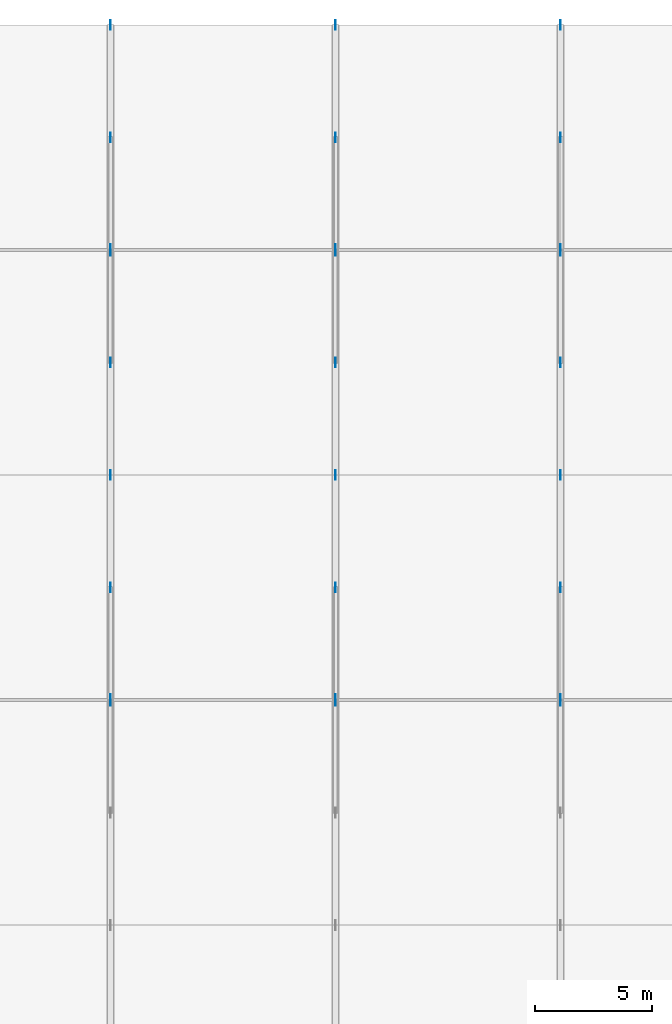
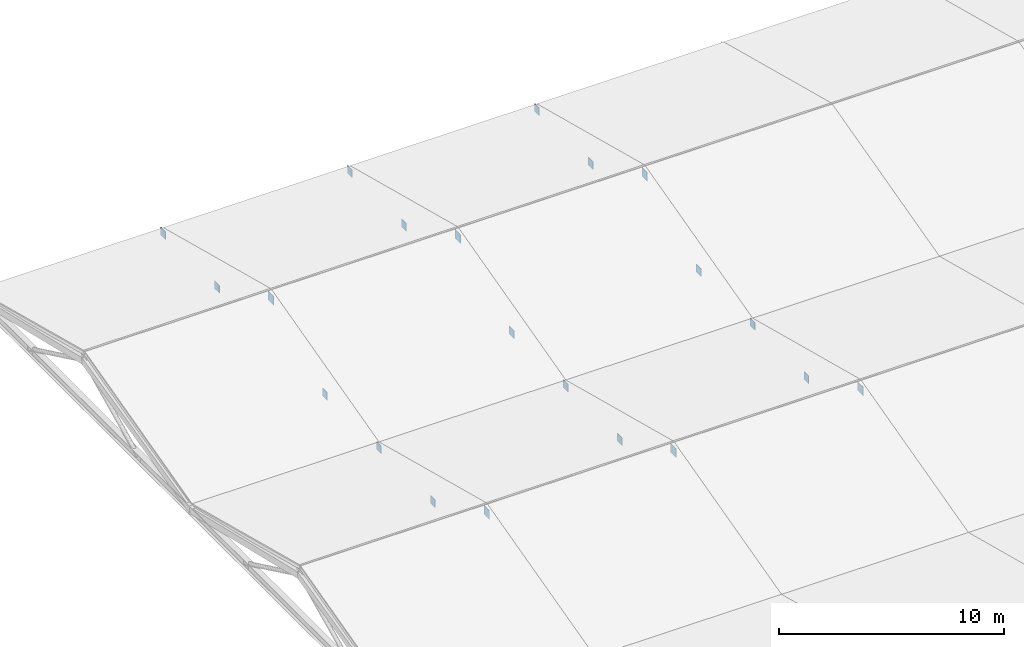
# One storey, part 28 of 52: 21 plates.
"""IFC4 building model written with IfcOpenShell, lengths in metres."""

import ifcopenshell
import ifcopenshell.guid

model = None  # the IFC model being written
_history = None  # IfcOwnerHistory: only IFC2X3 demands one
_inside = {}  # id of a spatial element -> (the spatial element, [elements in it])
_under = {}  # id of a project, library or spatial element -> (it, [spatial elements below it])
_declared = {}  # id of a project -> (the project, [libraries it declares])
_typed = {}  # id of a type object -> (the type object, [elements of that type])
_made_of = {}  # id of a material, layer set ... -> (it, [elements and type objects made of it])


def new_model(schema):
    """Start an empty IFC model of exactly this schema.

    Asked for "IFC4X3", IfcOpenShell would pick the latest addendum, in which some entities
    have other attributes; the version numbers below select the first issue.
    IFC2X3 requires an IfcOwnerHistory on every rooted entity: one is made here for all.
    """
    global model, _history
    if schema == "IFC4X3":
        model = ifcopenshell.file(schema_version=(4, 3, 0, 0))
    else:
        model = ifcopenshell.file(schema=schema)
    _inside.clear()
    _under.clear()
    _declared.clear()
    _typed.clear()
    _made_of.clear()
    _history = None
    if model.schema == "IFC2X3":
        org = make("IfcOrganization", Name="unknown")
        user = make(
            "IfcPersonAndOrganization",
            ThePerson=make("IfcPerson", FamilyName="unknown"),
            TheOrganization=org,
        )
        app = make(
            "IfcApplication",
            ApplicationDeveloper=org,
            Version="unknown",
            ApplicationFullName="unknown",
            ApplicationIdentifier="unknown",
        )
        _history = make(
            "IfcOwnerHistory",
            OwningUser=user,
            OwningApplication=app,
            ChangeAction="ADDED",
            CreationDate=0,
        )
    return model


def make(cls, **values):
    """One entity of the class cls with the attributes given. An attribute that is None is left unset."""
    return model.create_entity(
        cls, **{name: value for name, value in values.items() if value is not None}
    )


def rooted(cls, **values):
    """An entity with a GlobalId (a new one), such as an element, a storey or a relation."""
    return make(cls, GlobalId=ifcopenshell.guid.new(), OwnerHistory=_history, **values)


def si_unit(unit_type, name, prefix=None):
    """IfcSIUnit, for example si_unit("LENGTHUNIT", "METRE", prefix="MILLI")."""
    return make("IfcSIUnit", UnitType=unit_type, Prefix=prefix, Name=name)


def assignment(units):
    """IfcUnitAssignment: the units of a project."""
    return None if units is None else make("IfcUnitAssignment", Units=units)


def point(xyz):
    """IfcCartesianPoint."""
    return None if xyz is None else make("IfcCartesianPoint", Coordinates=xyz)


def direction(xyz):
    """IfcDirection."""
    return None if xyz is None else make("IfcDirection", DirectionRatios=xyz)


def frame(location, z_axis=None, x_axis=None):
    """IfcAxis2Placement3D, a coordinate frame: its origin and axes. An axis left out is left unset."""
    return make(
        "IfcAxis2Placement3D",
        Location=point(location),
        Axis=direction(z_axis),
        RefDirection=direction(x_axis),
    )


def frame_2d(location, x_axis=None):
    """IfcAxis2Placement2D, a coordinate frame in the plane: its origin and x axis."""
    return make(
        "IfcAxis2Placement2D", Location=point(location), RefDirection=direction(x_axis)
    )


def origin():
    """The frame at (0, 0, 0) with its axes left unset."""
    return frame((0.0, 0.0, 0.0))


def origin_2d():
    """The frame at (0, 0) in the plane with its x axis left unset."""
    return frame_2d((0.0, 0.0))


def place(relative_to, where):
    """IfcLocalPlacement: puts the frame where relative to a parent placement (None: the world)."""
    return make(
        "IfcLocalPlacement", PlacementRelTo=relative_to, RelativePlacement=where
    )


def context(
    kind, dimensions, precision=None, world=None, true_north=None, identifier=None
):
    """IfcGeometricRepresentationContext, for example the 3D "Model" context."""
    return make(
        "IfcGeometricRepresentationContext",
        ContextIdentifier=identifier,
        ContextType=kind,
        CoordinateSpaceDimension=dimensions,
        Precision=precision,
        WorldCoordinateSystem=world,
        TrueNorth=true_north,
    )


def subcontext(parent, identifier, kind, view, scale=None):
    """IfcGeometricRepresentationSubContext, for example "Body" below "Model"."""
    return make(
        "IfcGeometricRepresentationSubContext",
        ContextIdentifier=identifier,
        ContextType=kind,
        ParentContext=parent,
        TargetScale=scale,
        TargetView=view,
    )


def project(units=None, contexts=None):
    """IfcProject with its units and contexts."""
    return rooted(
        "IfcProject",
        Name="project",
        RepresentationContexts=contexts,
        UnitsInContext=assignment(units),
    )


def spatial(cls, under=None, at=None, **own):
    """A site, building, storey or space (cls), placed at a placement, below another one or the project."""
    s = rooted(cls, ObjectPlacement=at, **own)
    if under is not None:
        _under.setdefault(under.id(), (under, []))[1].append(s)
    return s


def profile(cls, at=None, kind="AREA", **sizes):
    """A parametric profile (cls). Its sizes go by their IFC names, for example OverallWidth=200.0."""
    return make(cls, ProfileType=kind, Position=at, **sizes)


def rectangle(**sizes):
    """IfcRectangleProfileDef."""
    return profile("IfcRectangleProfileDef", **sizes)


def extrude(swept, where, along, depth):
    """IfcExtrudedAreaSolid: the profile swept, set in the frame where, extruded along a direction by depth."""
    return make(
        "IfcExtrudedAreaSolid",
        SweptArea=swept,
        Position=where,
        ExtrudedDirection=direction(along),
        Depth=depth,
    )


def shape(context_of_items, identifier, shape_type, items):
    """IfcShapeRepresentation: the items that make up one representation, for example the "Body"."""
    return make(
        "IfcShapeRepresentation",
        ContextOfItems=context_of_items,
        RepresentationIdentifier=identifier,
        RepresentationType=shape_type,
        Items=items,
    )


def material(Name=None, Category=None):
    """IfcMaterial."""
    return make("IfcMaterial", Name=Name, Category=Category)


def layer(
    of_material, thickness, ventilated=None, Name=None, Category=None, Priority=None
):
    """IfcMaterialLayer: one layer of a wall or slab, of a material (None: an air gap)."""
    return make(
        "IfcMaterialLayer",
        Material=of_material,
        LayerThickness=thickness,
        IsVentilated=ventilated,
        Name=Name,
        Category=Category,
        Priority=Priority,
    )


def layer_set(layers, Name=None):
    """IfcMaterialLayerSet."""
    return make("IfcMaterialLayerSet", MaterialLayers=layers, LayerSetName=Name)


def made_of(thing, what):
    """Note that an element or type object is made of a material, layer set ...; save() writes the relation."""
    if what is not None:
        _made_of.setdefault(what.id(), (what, []))[1].append(thing)
    return thing


def type_object(cls, material=None, **own):
    """A type object (cls), such as IfcWallType, which elements share."""
    return made_of(rooted(cls, **own), material)


def element(
    cls,
    number,
    at=None,
    inside=None,
    cuts=None,
    type_object=None,
    material=None,
    context=None,
    identifier="Body",
    shape_type=None,
    held_by="IfcProductDefinitionShape",
    body=None,
    shapes=None,
    **own,
):
    """One element of the class cls, such as IfcWall. Its Tag is "e" and its number.

    at: its placement. inside: the storey or other place that contains it. cuts: it is an
    opening in that element (IfcRelVoidsElement). A single representation is given by context,
    identifier, shape_type and body (its items); several are given by shapes. held_by: the class
    of the entity that holds the representations. save() writes the other relations.
    """
    e = rooted(cls, Tag="e%d" % number, ObjectPlacement=at, **own)
    if body is not None:
        shapes = [shape(context, identifier, shape_type, body)]
    if shapes is not None:
        e.Representation = make(held_by, Representations=shapes)
    if inside is not None:
        _inside.setdefault(inside.id(), (inside, []))[1].append(e)
    if cuts is not None:
        rooted(
            "IfcRelVoidsElement", RelatingBuildingElement=cuts, RelatedOpeningElement=e
        )
    if type_object is not None:
        _typed.setdefault(type_object.id(), (type_object, []))[1].append(e)
    return made_of(e, material)


def aggregate(whole, parts):
    """IfcRelAggregates: a whole, such as a stair, and the parts it consists of."""
    return rooted("IfcRelAggregates", RelatingObject=whole, RelatedObjects=parts)


def save(model, path):
    """Write the relations noted so far, then the file.

    IfcRelAggregates (storeys below a building ...), IfcRelContainedInSpatialStructure (elements
    in a storey), IfcRelDefinesByType, IfcRelAssociatesMaterial and IfcRelDeclares: one each for
    every whole, place, type object, material and project.
    """
    for whole, parts in _under.values():
        aggregate(whole, parts)
    for where, things in _inside.values():
        rooted(
            "IfcRelContainedInSpatialStructure",
            RelatedElements=things,
            RelatingStructure=where,
        )
    for kind, things in _typed.values():
        rooted("IfcRelDefinesByType", RelatedObjects=things, RelatingType=kind)
    for what, things in _made_of.values():
        rooted("IfcRelAssociatesMaterial", RelatedObjects=things, RelatingMaterial=what)
    for by, libraries in _declared.values():
        rooted("IfcRelDeclares", RelatingContext=by, RelatedDefinitions=libraries)
    model.write(path)


model = new_model("IFC4")

# Units and contexts
model_context = context("Model", 3, precision=1e-05, world=origin(), true_north=direction((0.0, 1.0)))
body_context = subcontext(model_context, "Body", "Model", "MODEL_VIEW")
ifc_project = project(units=[si_unit("LENGTHUNIT", "METRE"), si_unit("AREAUNIT", "SQUARE_METRE"), si_unit("VOLUMEUNIT", "CUBIC_METRE"), si_unit("PLANEANGLEUNIT", "RADIAN"), si_unit("MASSUNIT", "GRAM", prefix="KILO")], contexts=[model_context])

# Site, building, storey
site_placement = place(None, origin())
site = spatial("IfcSite", under=ifc_project, at=site_placement, CompositionType="ELEMENT")
building_placement = place(site_placement, origin())
building = spatial("IfcBuilding", under=site, at=building_placement, Name="Zarnetskaya Central Station", CompositionType="ELEMENT")
storey_placement = place(building_placement, frame((0.0, 0.0, 14.39990234375)))
storey = spatial("IfcBuildingStorey", under=building, at=storey_placement, Name="L03", CompositionType="ELEMENT", Elevation=14.39990234375)

# Plates
ifc_material = material(Name="Steel S355", Category="steel")
ifc_layer_1 = layer(ifc_material, 0.02392578125, Name="Steel S355", Category="steel")
ifc_layer_set_1 = layer_set([ifc_layer_1], Name="Steel S355")
plate_type_1 = type_object("IfcPlateType", Name="ND-GUSSET-24", PredefinedType="USERDEFINED", material=ifc_layer_set_1)
for number, where, z_axis, x_axis, name in (
    (1, (67.199951171875, 96.0, 1.81005859375), (0.0, 0.0, 1.0), (1.0, 0.0, 0.0), "ROOF TRUSS SHED-SV2-02 apex gusset"),
    (2, (76.800048828125, 96.0, 1.81005859375), (0.0, 0.0, 1.0), (1.0, 0.0, 0.0), "ROOF TRUSS SHED-SV2-03 apex gusset"),
    (3, (86.39990234375, 96.0, 1.81005859375), (0.0, 0.0, 1.0), (1.0, 0.0, 0.0), "ROOF TRUSS SHED-SV2-04 apex gusset"),
    (4, (67.199951171875, 115.199951171875, 1.81005859375), (0.0, 0.0, 1.0), (1.0, 0.0, 0.0), "ROOF TRUSS SHED-SV3-02 apex gusset"),
    (5, (76.800048828125, 115.199951171875, 1.81005859375), (0.0, 0.0, 1.0), (1.0, 0.0, 0.0), "ROOF TRUSS SHED-SV3-03 apex gusset"),
    (6, (86.39990234375, 115.199951171875, 1.81005859375), (0.0, 0.0, 1.0), (1.0, 0.0, 0.0), "ROOF TRUSS SHED-SV3-04 apex gusset"),
):
    element("IfcPlate", number, at=place(storey_placement, frame(where, z_axis=z_axis, x_axis=x_axis)), inside=storey, type_object=plate_type_1, Name=name, ObjectType="GUSSET PLATE", PredefinedType="USERDEFINED", context=body_context, shape_type="SweptSolid", body=[
        extrude(rectangle(XDim=0.02392578125, YDim=0.47998046875, at=origin_2d()), origin(), (0.0, 0.0, 1.0), 0.47998046875),
    ])
ifc_layer_2 = layer(ifc_material, 0.028076171875, Name="Steel S355", Category="steel")
ifc_layer_set_2 = layer_set([ifc_layer_2], Name="Steel S355")
plate_type_2 = type_object("IfcPlateType", Name="ND-GUSSET-EXT-28", PredefinedType="USERDEFINED", material=ifc_layer_set_2)
for number, where, z_axis, x_axis, name in (
    (7, (67.199951171875, 105.60009765625, -0.4599609375), (0.0, 0.0, 1.0), (1.0, 0.0, 0.0), "Structural member end gusset plate 052"),
    (8, (67.199951171875, 100.800048828125, -0.4599609375), (0.0, 0.0, 1.0), (1.0, 0.0, 0.0), "Structural member end gusset plate 054"),
    (9, (76.800048828125, 105.60009765625, -0.4599609375), (0.0, 0.0, 1.0), (1.0, 0.0, 0.0), "Structural member end gusset plate 055"),
    (10, (76.800048828125, 100.800048828125, -0.4599609375), (0.0, 0.0, 1.0), (1.0, 0.0, 0.0), "Structural member end gusset plate 057"),
    (11, (86.39990234375, 105.60009765625, -0.4599609375), (0.0, 0.0, 1.0), (1.0, 0.0, 0.0), "Structural member end gusset plate 058"),
    (12, (86.39990234375, 100.800048828125, -0.4599609375), (0.0, 0.0, 1.0), (1.0, 0.0, 0.0), "Structural member end gusset plate 060"),
    (13, (67.199951171875, 124.800048828125, -0.4599609375), (0.0, 0.0, 1.0), (1.0, 0.0, 0.0), "Structural member end gusset plate 076"),
    (14, (67.199951171875, 110.39990234375, -0.4599609375), (0.0, 0.0, 1.0), (1.0, 0.0, 0.0), "Structural member end gusset plate 077"),
    (15, (67.199951171875, 120.0, -0.4599609375), (0.0, 0.0, 1.0), (1.0, 0.0, 0.0), "Structural member end gusset plate 078"),
    (16, (76.800048828125, 124.800048828125, -0.4599609375), (0.0, 0.0, 1.0), (1.0, 0.0, 0.0), "Structural member end gusset plate 079"),
    (17, (76.800048828125, 110.39990234375, -0.4599609375), (0.0, 0.0, 1.0), (1.0, 0.0, 0.0), "Structural member end gusset plate 080"),
    (18, (76.800048828125, 120.0, -0.4599609375), (0.0, 0.0, 1.0), (1.0, 0.0, 0.0), "Structural member end gusset plate 081"),
    (19, (86.39990234375, 124.800048828125, -0.4599609375), (0.0, 0.0, 1.0), (1.0, 0.0, 0.0), "Structural member end gusset plate 082"),
    (20, (86.39990234375, 110.39990234375, -0.4599609375), (0.0, 0.0, 1.0), (1.0, 0.0, 0.0), "Structural member end gusset plate 083"),
    (21, (86.39990234375, 120.0, -0.4599609375), (0.0, 0.0, 1.0), (1.0, 0.0, 0.0), "Structural member end gusset plate 084"),
):
    element("IfcPlate", number, at=place(storey_placement, frame(where, z_axis=z_axis, x_axis=x_axis)), inside=storey, type_object=plate_type_2, Name=name, ObjectType="GUSSET PLATE", PredefinedType="USERDEFINED", context=body_context, shape_type="SweptSolid", body=[
        extrude(rectangle(XDim=0.028076171875, YDim=0.419921875, at=origin_2d()), origin(), (0.0, 0.0, 1.0), 0.419921875),
    ])

save(model, "model.ifc")
